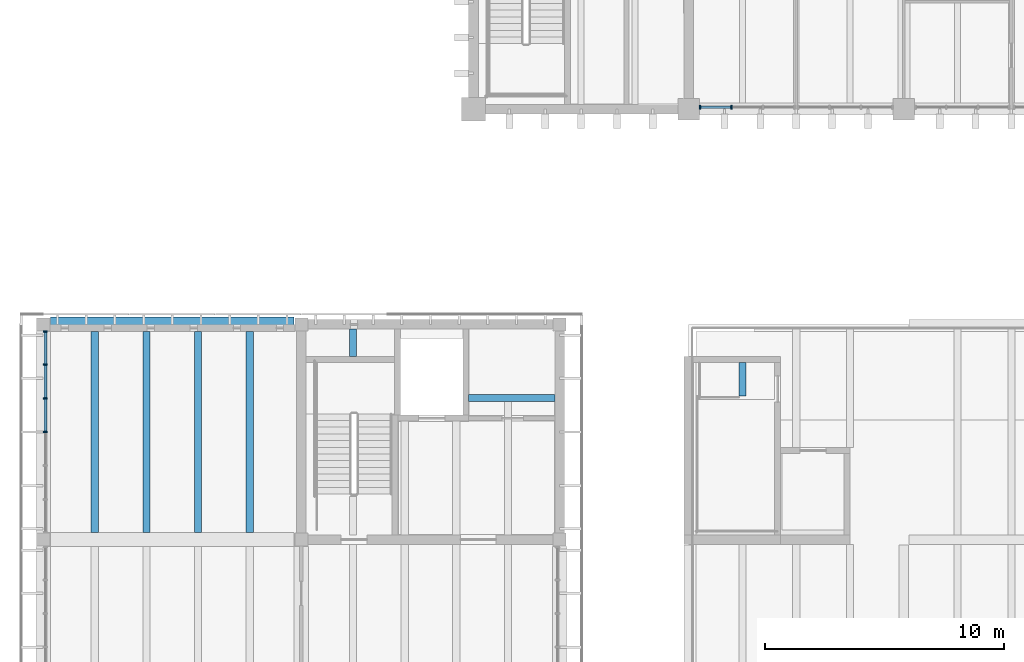
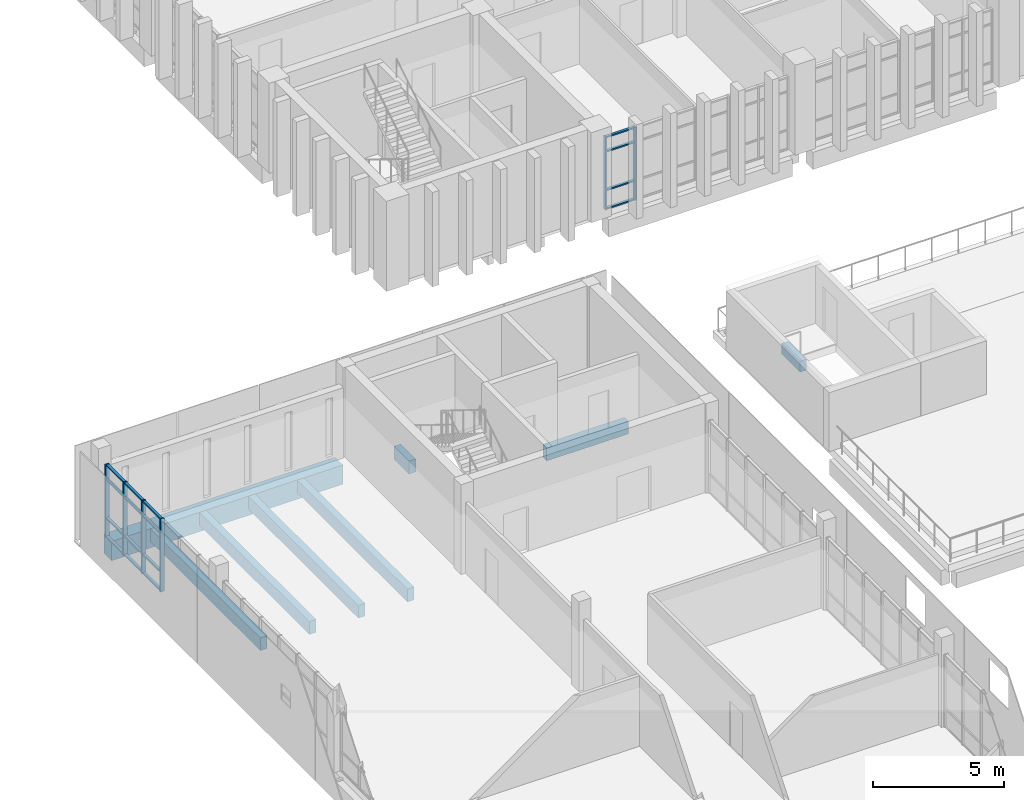
# One storey, part 22 of 74: 22 members, 8 beams, 2 elements without a shape of their own.
"""IFC4 building model written with IfcOpenShell, lengths in metres."""

import ifcopenshell
import ifcopenshell.guid

model = None  # the IFC model being written
_history = None  # IfcOwnerHistory: only IFC2X3 demands one
_inside = {}  # id of a spatial element -> (the spatial element, [elements in it])
_under = {}  # id of a project, library or spatial element -> (it, [spatial elements below it])
_declared = {}  # id of a project -> (the project, [libraries it declares])
_typed = {}  # id of a type object -> (the type object, [elements of that type])
_made_of = {}  # id of a material, layer set ... -> (it, [elements and type objects made of it])


def new_model(schema):
    """Start an empty IFC model of exactly this schema.

    Asked for "IFC4X3", IfcOpenShell would pick the latest addendum, in which some entities
    have other attributes; the version numbers below select the first issue.
    IFC2X3 requires an IfcOwnerHistory on every rooted entity: one is made here for all.
    """
    global model, _history
    if schema == "IFC4X3":
        model = ifcopenshell.file(schema_version=(4, 3, 0, 0))
    else:
        model = ifcopenshell.file(schema=schema)
    _inside.clear()
    _under.clear()
    _declared.clear()
    _typed.clear()
    _made_of.clear()
    _history = None
    if model.schema == "IFC2X3":
        org = make("IfcOrganization", Name="unknown")
        user = make(
            "IfcPersonAndOrganization",
            ThePerson=make("IfcPerson", FamilyName="unknown"),
            TheOrganization=org,
        )
        app = make(
            "IfcApplication",
            ApplicationDeveloper=org,
            Version="unknown",
            ApplicationFullName="unknown",
            ApplicationIdentifier="unknown",
        )
        _history = make(
            "IfcOwnerHistory",
            OwningUser=user,
            OwningApplication=app,
            ChangeAction="ADDED",
            CreationDate=0,
        )
    return model


def make(cls, **values):
    """One entity of the class cls with the attributes given. An attribute that is None is left unset."""
    return model.create_entity(
        cls, **{name: value for name, value in values.items() if value is not None}
    )


def rooted(cls, **values):
    """An entity with a GlobalId (a new one), such as an element, a storey or a relation."""
    return make(cls, GlobalId=ifcopenshell.guid.new(), OwnerHistory=_history, **values)


def si_unit(unit_type, name, prefix=None):
    """IfcSIUnit, for example si_unit("LENGTHUNIT", "METRE", prefix="MILLI")."""
    return make("IfcSIUnit", UnitType=unit_type, Prefix=prefix, Name=name)


def assignment(units):
    """IfcUnitAssignment: the units of a project."""
    return None if units is None else make("IfcUnitAssignment", Units=units)


def point(xyz):
    """IfcCartesianPoint."""
    return None if xyz is None else make("IfcCartesianPoint", Coordinates=xyz)


def direction(xyz):
    """IfcDirection."""
    return None if xyz is None else make("IfcDirection", DirectionRatios=xyz)


def frame(location, z_axis=None, x_axis=None):
    """IfcAxis2Placement3D, a coordinate frame: its origin and axes. An axis left out is left unset."""
    return make(
        "IfcAxis2Placement3D",
        Location=point(location),
        Axis=direction(z_axis),
        RefDirection=direction(x_axis),
    )


def frame_2d(location, x_axis=None):
    """IfcAxis2Placement2D, a coordinate frame in the plane: its origin and x axis."""
    return make(
        "IfcAxis2Placement2D", Location=point(location), RefDirection=direction(x_axis)
    )


def origin():
    """The frame at (0, 0, 0) with its axes left unset."""
    return frame((0.0, 0.0, 0.0))


def origin_2d():
    """The frame at (0, 0) in the plane with its x axis left unset."""
    return frame_2d((0.0, 0.0))


def place(relative_to, where):
    """IfcLocalPlacement: puts the frame where relative to a parent placement (None: the world)."""
    return make(
        "IfcLocalPlacement", PlacementRelTo=relative_to, RelativePlacement=where
    )


def context(
    kind, dimensions, precision=None, world=None, true_north=None, identifier=None
):
    """IfcGeometricRepresentationContext, for example the 3D "Model" context."""
    return make(
        "IfcGeometricRepresentationContext",
        ContextIdentifier=identifier,
        ContextType=kind,
        CoordinateSpaceDimension=dimensions,
        Precision=precision,
        WorldCoordinateSystem=world,
        TrueNorth=true_north,
    )


def subcontext(parent, identifier, kind, view, scale=None):
    """IfcGeometricRepresentationSubContext, for example "Body" below "Model"."""
    return make(
        "IfcGeometricRepresentationSubContext",
        ContextIdentifier=identifier,
        ContextType=kind,
        ParentContext=parent,
        TargetScale=scale,
        TargetView=view,
    )


def project(units=None, contexts=None):
    """IfcProject with its units and contexts."""
    return rooted(
        "IfcProject",
        Name="project",
        RepresentationContexts=contexts,
        UnitsInContext=assignment(units),
    )


def spatial(cls, under=None, at=None, **own):
    """A site, building, storey or space (cls), placed at a placement, below another one or the project."""
    s = rooted(cls, ObjectPlacement=at, **own)
    if under is not None:
        _under.setdefault(under.id(), (under, []))[1].append(s)
    return s


def profile(cls, at=None, kind="AREA", **sizes):
    """A parametric profile (cls). Its sizes go by their IFC names, for example OverallWidth=200.0."""
    return make(cls, ProfileType=kind, Position=at, **sizes)


def rectangle(**sizes):
    """IfcRectangleProfileDef."""
    return profile("IfcRectangleProfileDef", **sizes)


def extrude(swept, where, along, depth):
    """IfcExtrudedAreaSolid: the profile swept, set in the frame where, extruded along a direction by depth."""
    return make(
        "IfcExtrudedAreaSolid",
        SweptArea=swept,
        Position=where,
        ExtrudedDirection=direction(along),
        Depth=depth,
    )


def shape(context_of_items, identifier, shape_type, items):
    """IfcShapeRepresentation: the items that make up one representation, for example the "Body"."""
    return make(
        "IfcShapeRepresentation",
        ContextOfItems=context_of_items,
        RepresentationIdentifier=identifier,
        RepresentationType=shape_type,
        Items=items,
    )


def material(Name=None, Category=None):
    """IfcMaterial."""
    return make("IfcMaterial", Name=Name, Category=Category)


def material_profile(
    of_material, cross_section, Name=None, Category=None, Priority=None
):
    """IfcMaterialProfile: a cross section and its material."""
    return make(
        "IfcMaterialProfile",
        Name=Name,
        Material=of_material,
        Profile=cross_section,
        Priority=Priority,
        Category=Category,
    )


def profile_set(profiles, Name=None, composite=None):
    """IfcMaterialProfileSet."""
    return make(
        "IfcMaterialProfileSet",
        Name=Name,
        MaterialProfiles=profiles,
        CompositeProfile=composite,
    )


def made_of(thing, what):
    """Note that an element or type object is made of a material, layer set ...; save() writes the relation."""
    if what is not None:
        _made_of.setdefault(what.id(), (what, []))[1].append(thing)
    return thing


def type_object(cls, material=None, **own):
    """A type object (cls), such as IfcWallType, which elements share."""
    return made_of(rooted(cls, **own), material)


def element(
    cls,
    number,
    at=None,
    inside=None,
    cuts=None,
    type_object=None,
    material=None,
    context=None,
    identifier="Body",
    shape_type=None,
    held_by="IfcProductDefinitionShape",
    body=None,
    shapes=None,
    **own,
):
    """One element of the class cls, such as IfcWall. Its Tag is "e" and its number.

    at: its placement. inside: the storey or other place that contains it. cuts: it is an
    opening in that element (IfcRelVoidsElement). A single representation is given by context,
    identifier, shape_type and body (its items); several are given by shapes. held_by: the class
    of the entity that holds the representations. save() writes the other relations.
    """
    e = rooted(cls, Tag="e%d" % number, ObjectPlacement=at, **own)
    if body is not None:
        shapes = [shape(context, identifier, shape_type, body)]
    if shapes is not None:
        e.Representation = make(held_by, Representations=shapes)
    if inside is not None:
        _inside.setdefault(inside.id(), (inside, []))[1].append(e)
    if cuts is not None:
        rooted(
            "IfcRelVoidsElement", RelatingBuildingElement=cuts, RelatedOpeningElement=e
        )
    if type_object is not None:
        _typed.setdefault(type_object.id(), (type_object, []))[1].append(e)
    return made_of(e, material)


def aggregate(whole, parts):
    """IfcRelAggregates: a whole, such as a stair, and the parts it consists of."""
    return rooted("IfcRelAggregates", RelatingObject=whole, RelatedObjects=parts)


def save(model, path):
    """Write the relations noted so far, then the file.

    IfcRelAggregates (storeys below a building ...), IfcRelContainedInSpatialStructure (elements
    in a storey), IfcRelDefinesByType, IfcRelAssociatesMaterial and IfcRelDeclares: one each for
    every whole, place, type object, material and project.
    """
    for whole, parts in _under.values():
        aggregate(whole, parts)
    for where, things in _inside.values():
        rooted(
            "IfcRelContainedInSpatialStructure",
            RelatedElements=things,
            RelatingStructure=where,
        )
    for kind, things in _typed.values():
        rooted("IfcRelDefinesByType", RelatedObjects=things, RelatingType=kind)
    for what, things in _made_of.values():
        rooted("IfcRelAssociatesMaterial", RelatedObjects=things, RelatingMaterial=what)
    for by, libraries in _declared.values():
        rooted("IfcRelDeclares", RelatingContext=by, RelatedDefinitions=libraries)
    model.write(path)


model = new_model("IFC4")

# Units and contexts
model_context = context("Model", 3, precision=1e-05, world=origin(), true_north=direction((0.0, 1.0)))
body_context = subcontext(model_context, "Body", "Model", "MODEL_VIEW")
ifc_project = project(units=[si_unit("LENGTHUNIT", "METRE"), si_unit("AREAUNIT", "SQUARE_METRE"), si_unit("VOLUMEUNIT", "CUBIC_METRE"), si_unit("PLANEANGLEUNIT", "RADIAN"), si_unit("MASSUNIT", "GRAM", prefix="KILO")], contexts=[model_context])

# Site, building, storey
site_placement = place(None, origin())
site = spatial("IfcSite", under=ifc_project, at=site_placement, CompositionType="ELEMENT")
building_placement = place(site_placement, origin())
building = spatial("IfcBuilding", under=site, at=building_placement, Name="Merrow Basin Faculty of Sciences", CompositionType="ELEMENT")
storey_placement = place(building_placement, frame((0.0, 0.0, 13.5)))
storey = spatial("IfcBuildingStorey", under=building, at=storey_placement, Name="L03", CompositionType="ELEMENT", Elevation=13.5)

# Curtain wall, members
ifc_material_1 = material(Name="Aluminium alloy 6063", Category="aluminium")
curtain_wall_type_1 = type_object("IfcCurtainWallType", Name="Unitised curtain wall 160", PredefinedType="NOTDEFINED", material=ifc_material_1)
curtain_wall_1_placement = place(storey_placement, origin())
curtain_wall_1 = element("IfcCurtainWall", 1, at=curtain_wall_1_placement, inside=storey, type_object=curtain_wall_type_1, Name="S curtain wall L03 1", PredefinedType="NOTDEFINED")
ifc_material_2 = material(Name="Aluminium alloy 6063", Category="aluminium")
ifc_material_profile_1 = material_profile(ifc_material_2, rectangle(XDim=0.159912109375, YDim=0.06005859375, at=origin_2d()))
ifc_profile_set_1 = profile_set([ifc_material_profile_1], Name="Aluminium alloy 6063")
member_type_1 = type_object("IfcMemberType", Name="Aluminium mullion 60x160", PredefinedType="MULLION", material=ifc_profile_set_1)
member_1_placement = place(storey_placement, frame((27.47998046875, 142.080078125, 0.0), z_axis=(0.0, 0.0, 1.0), x_axis=(0.0, 1.0, 0.0)))
member_1 = element("IfcMember", 2, at=member_1_placement, type_object=member_type_1, Name="CW3 mullion 1", PredefinedType="MULLION", context=body_context, shape_type="SweptSolid", body=[
    extrude(rectangle(XDim=0.159912109375, YDim=0.06005859375, at=origin_2d()), origin(), (0.0, 0.0, 1.0), 3.39990234375),
])
member_2_placement = place(storey_placement, frame((28.783447265625, 142.080078125, 0.0), z_axis=(0.0, 0.0, 1.0), x_axis=(0.0, 1.0, 0.0)))
member_2 = element("IfcMember", 3, at=member_2_placement, type_object=member_type_1, Name="CW3 mullion 2", PredefinedType="MULLION", context=body_context, shape_type="SweptSolid", body=[
    extrude(rectangle(XDim=0.159912109375, YDim=0.06005859375, at=origin_2d()), origin(), (0.0, 0.0, 1.0), 3.39990234375),
])

ifc_material_3 = material(Name="Aluminium alloy 6063", Category="aluminium")
curtain_wall_type_2 = type_object("IfcCurtainWallType", Name="Bar unitised curtain wall 180", PredefinedType="NOTDEFINED", material=ifc_material_3)
curtain_wall_2_placement = place(storey_placement, origin())
curtain_wall_2 = element("IfcCurtainWall", 4, at=curtain_wall_2_placement, inside=storey, type_object=curtain_wall_type_2, Name="West curtain wall L03 7", PredefinedType="NOTDEFINED")
ifc_material_4 = material(Name="Aluminium alloy 6063", Category="aluminium")
ifc_material_profile_2 = material_profile(ifc_material_4, rectangle(XDim=0.179931640625, YDim=0.06005859375, at=origin_2d()))
ifc_profile_set_2 = profile_set([ifc_material_profile_2], Name="Aluminium alloy 6063")
member_type_2 = type_object("IfcMemberType", Name="Aluminium mullion 60x180", PredefinedType="MULLION", material=ifc_profile_set_2)
member_3_placement = place(storey_placement, frame((0.090087890625, 128.5, 0.0), z_axis=(0.0, 0.0, 1.0), x_axis=(-1.0, 0.0, 0.0)))
member_3 = element("IfcMember", 5, at=member_3_placement, type_object=member_type_2, Name="CW1 mullion 4", PredefinedType="MULLION", context=body_context, shape_type="SweptSolid", body=[
    extrude(rectangle(XDim=0.179931640625, YDim=0.06005859375, at=origin_2d()), origin(), (0.0, 0.0, 1.0), 3.39990234375),
])
member_4_placement = place(storey_placement, frame((0.090087890625, 129.908447265625, 0.0), z_axis=(0.0, 0.0, 1.0), x_axis=(-1.0, 0.0, 0.0)))
member_4 = element("IfcMember", 6, at=member_4_placement, type_object=member_type_2, Name="CW1 mullion 5", PredefinedType="MULLION", context=body_context, shape_type="SweptSolid", body=[
    extrude(rectangle(XDim=0.179931640625, YDim=0.06005859375, at=origin_2d()), origin(), (0.0, 0.0, 1.0), 3.39990234375),
])
member_5_placement = place(storey_placement, frame((0.090087890625, 131.316650390625, 0.0), z_axis=(0.0, 0.0, 1.0), x_axis=(-1.0, 0.0, 0.0)))
member_5 = element("IfcMember", 7, at=member_5_placement, type_object=member_type_2, Name="CW1 mullion 6", PredefinedType="MULLION", context=body_context, shape_type="SweptSolid", body=[
    extrude(rectangle(XDim=0.179931640625, YDim=0.06005859375, at=origin_2d()), origin(), (0.0, 0.0, 1.0), 3.39990234375),
])
member_6_placement = place(storey_placement, frame((0.090087890625, 132.695068359375, 0.0), z_axis=(0.0, 0.0, 1.0), x_axis=(-1.0, 0.0, 0.0)))
member_6 = element("IfcMember", 8, at=member_6_placement, type_object=member_type_2, Name="CW1 mullion 7", PredefinedType="MULLION", context=body_context, shape_type="SweptSolid", body=[
    extrude(rectangle(XDim=0.179931640625, YDim=0.06005859375, at=origin_2d()), origin(), (0.0, 0.0, 1.0), 3.39990234375),
])
ifc_material_5 = material(Name="Aluminium alloy 6063", Category="aluminium")
ifc_material_profile_3 = material_profile(ifc_material_5, rectangle(XDim=0.1201171875, YDim=0.06005859375, at=origin_2d()))
ifc_profile_set_3 = profile_set([ifc_material_profile_3], Name="Aluminium alloy 6063")
member_type_3 = type_object("IfcMemberType", Name="Aluminium transom 60x120", PredefinedType="USERDEFINED", material=ifc_profile_set_3)
member_7_placement = place(storey_placement, frame((0.090087890625, 128.530029296875, 0.030029296875), z_axis=(0.0, 1.0, 0.0), x_axis=(-1.0, 0.0, 0.0)))
member_7 = element("IfcMember", 9, at=member_7_placement, type_object=member_type_3, Name="CW1 transom 4.1", ObjectType="TRANSOM", PredefinedType="USERDEFINED", context=body_context, shape_type="SweptSolid", body=[
    extrude(rectangle(XDim=0.1201171875, YDim=0.06005859375, at=origin_2d()), origin(), (0.0, 0.0, 1.0), 1.348388671875),
])
member_8_placement = place(storey_placement, frame((0.090087890625, 128.530029296875, 0.89990234375), z_axis=(0.0, 1.0, 0.0), x_axis=(-1.0, 0.0, 0.0)))
member_8 = element("IfcMember", 10, at=member_8_placement, type_object=member_type_3, Name="CW1 transom 4.2", ObjectType="TRANSOM", PredefinedType="USERDEFINED", context=body_context, shape_type="SweptSolid", body=[
    extrude(rectangle(XDim=0.1201171875, YDim=0.06005859375, at=origin_2d()), origin(), (0.0, 0.0, 1.0), 1.348388671875),
])
member_9_placement = place(storey_placement, frame((0.090087890625, 128.530029296875, 2.699951171875), z_axis=(0.0, 1.0, 0.0), x_axis=(-1.0, 0.0, 0.0)))
member_9 = element("IfcMember", 11, at=member_9_placement, type_object=member_type_3, Name="CW1 transom 4.3", ObjectType="TRANSOM", PredefinedType="USERDEFINED", context=body_context, shape_type="SweptSolid", body=[
    extrude(rectangle(XDim=0.1201171875, YDim=0.06005859375, at=origin_2d()), origin(), (0.0, 0.0, 1.0), 1.348388671875),
])
member_10_placement = place(storey_placement, frame((0.090087890625, 128.530029296875, 3.3701171875), z_axis=(0.0, 1.0, 0.0), x_axis=(-1.0, 0.0, 0.0)))
member_10 = element("IfcMember", 12, at=member_10_placement, type_object=member_type_3, Name="CW1 transom 4.4", ObjectType="TRANSOM", PredefinedType="USERDEFINED", context=body_context, shape_type="SweptSolid", body=[
    extrude(rectangle(XDim=0.1201171875, YDim=0.06005859375, at=origin_2d()), origin(), (0.0, 0.0, 1.0), 1.348388671875),
])
member_11_placement = place(storey_placement, frame((0.090087890625, 129.938232421875, 0.030029296875), z_axis=(0.0, 1.0, 0.0), x_axis=(-1.0, 0.0, 0.0)))
member_11 = element("IfcMember", 13, at=member_11_placement, type_object=member_type_3, Name="CW1 transom 5.1", ObjectType="TRANSOM", PredefinedType="USERDEFINED", context=body_context, shape_type="SweptSolid", body=[
    extrude(rectangle(XDim=0.1201171875, YDim=0.06005859375, at=origin_2d()), origin(), (0.0, 0.0, 1.0), 1.348388671875),
])
member_12_placement = place(storey_placement, frame((0.090087890625, 129.938232421875, 0.89990234375), z_axis=(0.0, 1.0, 0.0), x_axis=(-1.0, 0.0, 0.0)))
member_12 = element("IfcMember", 14, at=member_12_placement, type_object=member_type_3, Name="CW1 transom 5.2", ObjectType="TRANSOM", PredefinedType="USERDEFINED", context=body_context, shape_type="SweptSolid", body=[
    extrude(rectangle(XDim=0.1201171875, YDim=0.06005859375, at=origin_2d()), origin(), (0.0, 0.0, 1.0), 1.348388671875),
])
member_13_placement = place(storey_placement, frame((0.090087890625, 129.938232421875, 2.699951171875), z_axis=(0.0, 1.0, 0.0), x_axis=(-1.0, 0.0, 0.0)))
member_13 = element("IfcMember", 15, at=member_13_placement, type_object=member_type_3, Name="CW1 transom 5.3", ObjectType="TRANSOM", PredefinedType="USERDEFINED", context=body_context, shape_type="SweptSolid", body=[
    extrude(rectangle(XDim=0.1201171875, YDim=0.06005859375, at=origin_2d()), origin(), (0.0, 0.0, 1.0), 1.348388671875),
])
member_14_placement = place(storey_placement, frame((0.090087890625, 129.938232421875, 3.3701171875), z_axis=(0.0, 1.0, 0.0), x_axis=(-1.0, 0.0, 0.0)))
member_14 = element("IfcMember", 16, at=member_14_placement, type_object=member_type_3, Name="CW1 transom 5.4", ObjectType="TRANSOM", PredefinedType="USERDEFINED", context=body_context, shape_type="SweptSolid", body=[
    extrude(rectangle(XDim=0.1201171875, YDim=0.06005859375, at=origin_2d()), origin(), (0.0, 0.0, 1.0), 1.348388671875),
])
member_15_placement = place(storey_placement, frame((0.090087890625, 131.3466796875, 0.030029296875), z_axis=(0.0, 1.0, 0.0), x_axis=(-1.0, 0.0, 0.0)))
member_15 = element("IfcMember", 17, at=member_15_placement, type_object=member_type_3, Name="CW1 transom 6.1", ObjectType="TRANSOM", PredefinedType="USERDEFINED", context=body_context, shape_type="SweptSolid", body=[
    extrude(rectangle(XDim=0.1201171875, YDim=0.06005859375, at=origin_2d()), origin(), (0.0, 0.0, 1.0), 1.318359375),
])
member_16_placement = place(storey_placement, frame((0.090087890625, 131.3466796875, 0.89990234375), z_axis=(0.0, 1.0, 0.0), x_axis=(-1.0, 0.0, 0.0)))
member_16 = element("IfcMember", 18, at=member_16_placement, type_object=member_type_3, Name="CW1 transom 6.2", ObjectType="TRANSOM", PredefinedType="USERDEFINED", context=body_context, shape_type="SweptSolid", body=[
    extrude(rectangle(XDim=0.1201171875, YDim=0.06005859375, at=origin_2d()), origin(), (0.0, 0.0, 1.0), 1.318359375),
])
member_17_placement = place(storey_placement, frame((0.090087890625, 131.3466796875, 2.699951171875), z_axis=(0.0, 1.0, 0.0), x_axis=(-1.0, 0.0, 0.0)))
member_17 = element("IfcMember", 19, at=member_17_placement, type_object=member_type_3, Name="CW1 transom 6.3", ObjectType="TRANSOM", PredefinedType="USERDEFINED", context=body_context, shape_type="SweptSolid", body=[
    extrude(rectangle(XDim=0.1201171875, YDim=0.06005859375, at=origin_2d()), origin(), (0.0, 0.0, 1.0), 1.318359375),
])
member_18_placement = place(storey_placement, frame((0.090087890625, 131.3466796875, 3.3701171875), z_axis=(0.0, 1.0, 0.0), x_axis=(-1.0, 0.0, 0.0)))
member_18 = element("IfcMember", 20, at=member_18_placement, type_object=member_type_3, Name="CW1 transom 6.4", ObjectType="TRANSOM", PredefinedType="USERDEFINED", context=body_context, shape_type="SweptSolid", body=[
    extrude(rectangle(XDim=0.1201171875, YDim=0.06005859375, at=origin_2d()), origin(), (0.0, 0.0, 1.0), 1.318359375),
])
aggregate(curtain_wall_2, [member_3, member_4, member_5, member_6, member_7, member_8, member_9, member_10, member_11, member_12, member_13, member_14, member_15, member_16, member_17, member_18])

# Member
member_19_placement = place(storey_placement, frame((27.510009765625, 142.080078125, 0.030029296875), z_axis=(1.0, 0.0, 0.0), x_axis=(0.0, 1.0, 0.0)))
member_19 = element("IfcMember", 21, at=member_19_placement, type_object=member_type_3, Name="CW3 transom 1.1", ObjectType="TRANSOM", PredefinedType="USERDEFINED", context=body_context, shape_type="SweptSolid", body=[
    extrude(rectangle(XDim=0.1201171875, YDim=0.06005859375, at=origin_2d()), origin(), (0.0, 0.0, 1.0), 1.243408203125),
])

member_20_placement = place(storey_placement, frame((27.510009765625, 142.080078125, 0.89990234375), z_axis=(1.0, 0.0, 0.0), x_axis=(0.0, 1.0, 0.0)))
member_20 = element("IfcMember", 22, at=member_20_placement, type_object=member_type_3, Name="CW3 transom 1.2", ObjectType="TRANSOM", PredefinedType="USERDEFINED", context=body_context, shape_type="SweptSolid", body=[
    extrude(rectangle(XDim=0.1201171875, YDim=0.06005859375, at=origin_2d()), origin(), (0.0, 0.0, 1.0), 1.243408203125),
])

member_21_placement = place(storey_placement, frame((27.510009765625, 142.080078125, 2.699951171875), z_axis=(1.0, 0.0, 0.0), x_axis=(0.0, 1.0, 0.0)))
member_21 = element("IfcMember", 23, at=member_21_placement, type_object=member_type_3, Name="CW3 transom 1.3", ObjectType="TRANSOM", PredefinedType="USERDEFINED", context=body_context, shape_type="SweptSolid", body=[
    extrude(rectangle(XDim=0.1201171875, YDim=0.06005859375, at=origin_2d()), origin(), (0.0, 0.0, 1.0), 1.243408203125),
])

member_22_placement = place(storey_placement, frame((27.510009765625, 142.080078125, 3.3701171875), z_axis=(1.0, 0.0, 0.0), x_axis=(0.0, 1.0, 0.0)))
member_22 = element("IfcMember", 24, at=member_22_placement, type_object=member_type_3, Name="CW3 transom 1.4", ObjectType="TRANSOM", PredefinedType="USERDEFINED", context=body_context, shape_type="SweptSolid", body=[
    extrude(rectangle(XDim=0.1201171875, YDim=0.06005859375, at=origin_2d()), origin(), (0.0, 0.0, 1.0), 1.243408203125),
])

aggregate(curtain_wall_1, [member_1, member_2, member_19, member_20, member_21, member_22])

# Beams
ifc_material_6 = material(Name="Concrete C40/50", Category="concrete")
ifc_material_profile_4 = material_profile(ifc_material_6, rectangle(XDim=0.60009765625, YDim=0.89990234375, at=origin_2d()))
ifc_profile_set_4 = profile_set([ifc_material_profile_4], Name="Concrete C40/50")
beam_type_1 = type_object("IfcBeamType", Name="Beam RC600x900 C40/50", PredefinedType="BEAM", material=ifc_profile_set_4)
beam_1_placement = place(storey_placement, frame((0.300048828125, 133.0, -0.75), z_axis=(1.0, 0.0, 0.0), x_axis=(0.0, 1.0, 0.0)))
element("IfcBeam", 25, at=beam_1_placement, inside=storey, type_object=beam_type_1, Name="B1 L03 014", PredefinedType="BEAM", context=body_context, shape_type="SweptSolid", body=[
    extrude(rectangle(XDim=0.60009765625, YDim=0.89990234375, at=origin_2d()), origin(), (0.0, 0.0, 1.0), 10.199951171875),
])
ifc_material_7 = material(Name="Concrete C40/50", Category="concrete")
ifc_material_profile_5 = material_profile(ifc_material_7, rectangle(XDim=0.300048828125, YDim=0.60009765625, at=origin_2d()))
ifc_profile_set_5 = profile_set([ifc_material_profile_5], Name="Concrete C40/50")
beam_type_2 = type_object("IfcBeamType", Name="Laboratory floor joist RC300x600 C40/50", PredefinedType="BEAM", material=ifc_profile_set_5)
for number, where, z_axis, x_axis, name in (
    (26, (2.159912109375, 124.300048828125, -0.60009765625), (0.0, 1.0, 0.0), (-1.0, 0.0, 0.0), "JL1 L03 063"),
    (27, (4.320068359375, 124.300048828125, -0.60009765625), (0.0, 1.0, 0.0), (-1.0, 0.0, 0.0), "JL1 L03 064"),
    (28, (6.47998046875, 124.300048828125, -0.60009765625), (0.0, 1.0, 0.0), (-1.0, 0.0, 0.0), "JL1 L03 065"),
    (29, (8.639892578125, 124.300048828125, -0.60009765625), (0.0, 1.0, 0.0), (-1.0, 0.0, 0.0), "JL1 L03 066"),
):
    element("IfcBeam", number, at=place(storey_placement, frame(where, z_axis=z_axis, x_axis=x_axis)), inside=storey, type_object=beam_type_2, Name=name, PredefinedType="BEAM", context=body_context, shape_type="SweptSolid", body=[
        extrude(rectangle(XDim=0.300048828125, YDim=0.60009765625, at=origin_2d()), origin(), (0.0, 0.0, 1.0), 8.39990234375),
    ])
beam_2_placement = place(storey_placement, frame((12.9599609375, 131.64990234375, -0.60009765625), z_axis=(0.0, 1.0, 0.0), x_axis=(-1.0, 0.0, 0.0)))
element("IfcBeam", 30, at=beam_2_placement, inside=storey, type_object=beam_type_2, Name="JL1 L03 098", PredefinedType="BEAM", context=body_context, shape_type="SweptSolid", body=[
    extrude(rectangle(XDim=0.300048828125, YDim=0.60009765625, at=origin_2d()), origin(), (0.0, 0.0, 1.0), 1.150146484375),
])
beam_3_placement = place(storey_placement, frame((17.800048828125, 129.925048828125, -0.60009765625), z_axis=(1.0, 0.0, 0.0), x_axis=(0.0, 1.0, 0.0)))
element("IfcBeam", 31, at=beam_3_placement, inside=storey, type_object=beam_type_2, Name="JL1 L03 102", PredefinedType="BEAM", context=body_context, shape_type="SweptSolid", body=[
    extrude(rectangle(XDim=0.300048828125, YDim=0.60009765625, at=origin_2d()), origin(), (0.0, 0.0, 1.0), 3.599853515625),
])
ifc_material_8 = material(Name="Concrete C40/50", Category="concrete")
ifc_material_profile_6 = material_profile(ifc_material_8, rectangle(XDim=0.300048828125, YDim=0.5, at=origin_2d()))
ifc_profile_set_6 = profile_set([ifc_material_profile_6], Name="Concrete C40/50")
beam_type_3 = type_object("IfcBeamType", Name="Terrace roof joist RC300x500 C40/50", PredefinedType="BEAM", material=ifc_profile_set_6)
beam_4_placement = place(storey_placement, frame((29.25, 130.0, -0.60009765625), z_axis=(0.0, 1.0, 0.0), x_axis=(-1.0, 0.0, 0.0)))
element("IfcBeam", 32, at=beam_4_placement, inside=storey, type_object=beam_type_3, Name="JD1 L03 056", PredefinedType="BEAM", context=body_context, shape_type="SweptSolid", body=[
    extrude(rectangle(XDim=0.300048828125, YDim=0.5, at=origin_2d()), origin(), (0.0, 0.0, 1.0), 1.39990234375),
])

save(model, "model.ifc")
